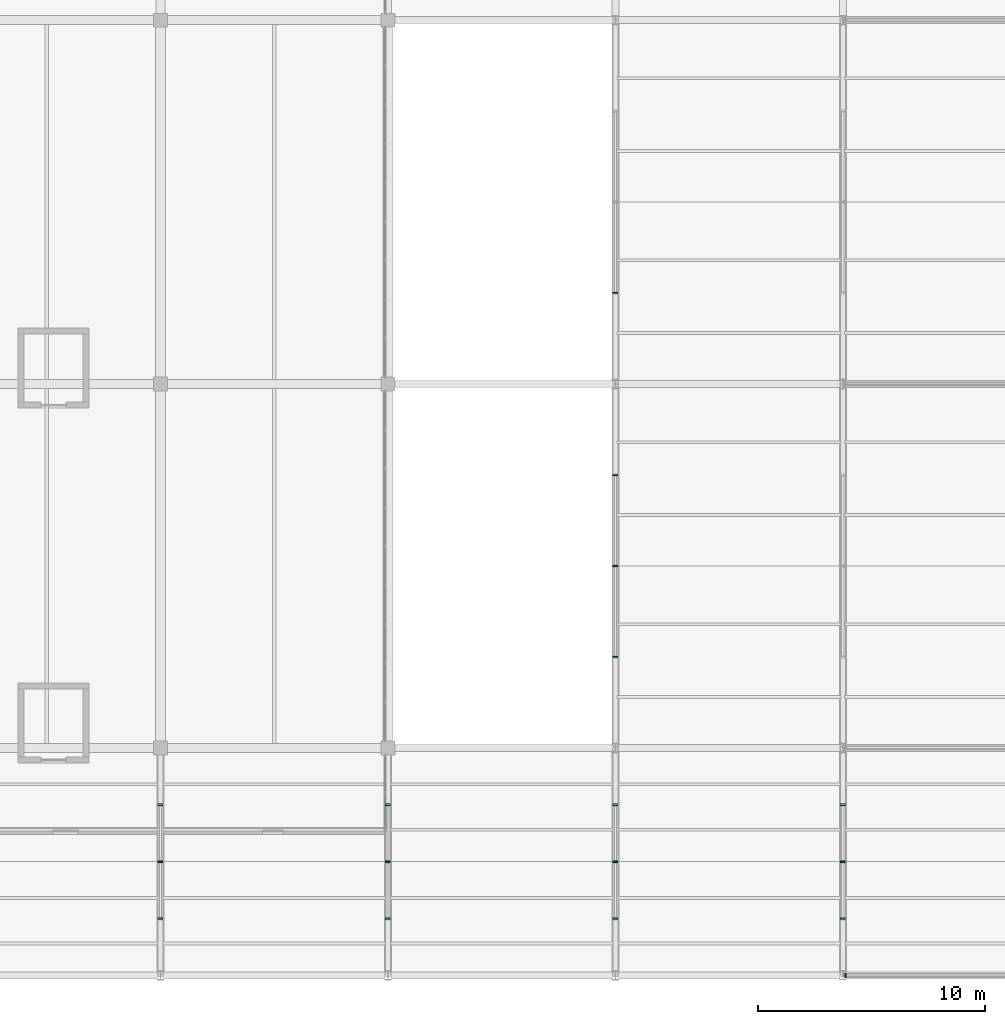
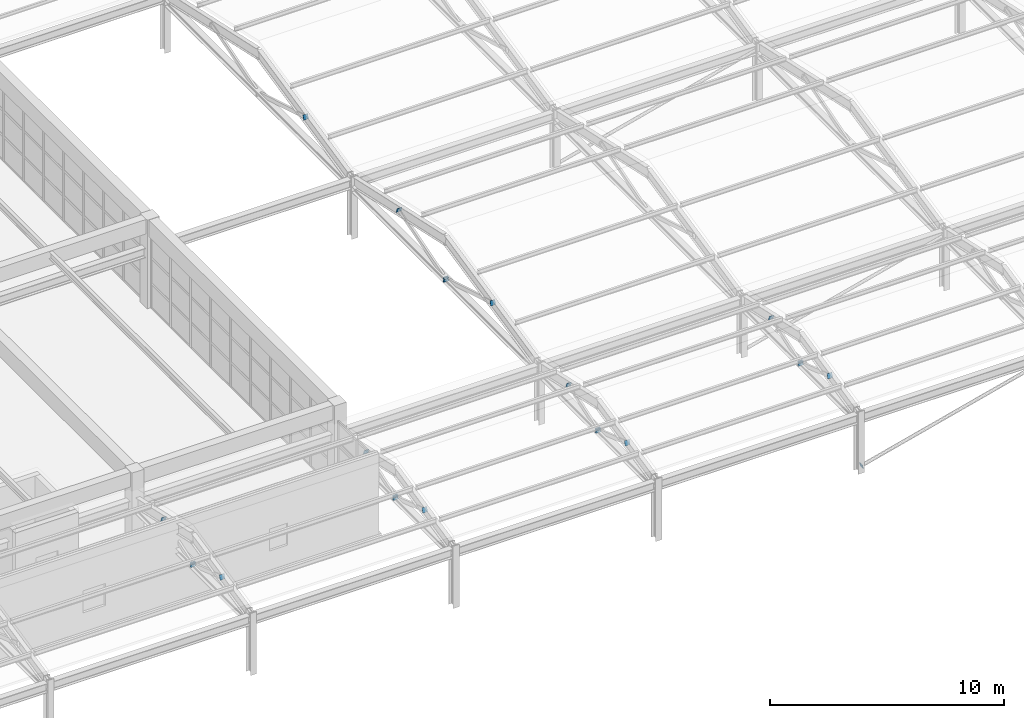
# One storey, part 82 of 109: 22 plates.
"""IFC4 building model written with IfcOpenShell, lengths in metres."""

from ifc_helpers import new_model, si_unit, direction, frame, origin, origin_2d, place, context, subcontext, project, spatial, rectangle, extrude, material, layer, layer_set, type_object, element, save


model = new_model("IFC4")

# Units and contexts
model_context = context("Model", 3, precision=1e-05, world=origin(), true_north=direction((0.0, 1.0)))
body_context = subcontext(model_context, "Body", "Model", "MODEL_VIEW")
ifc_project = project(units=[si_unit("LENGTHUNIT", "METRE"), si_unit("AREAUNIT", "SQUARE_METRE"), si_unit("VOLUMEUNIT", "CUBIC_METRE"), si_unit("PLANEANGLEUNIT", "RADIAN"), si_unit("MASSUNIT", "GRAM", prefix="KILO")], contexts=[model_context])

# Site, building, storey
site_placement = place(None, origin())
site = spatial("IfcSite", under=ifc_project, at=site_placement, CompositionType="ELEMENT")
building_placement = place(site_placement, origin())
building = spatial("IfcBuilding", under=site, at=building_placement, Name="Kivolera Central Railway Station", CompositionType="ELEMENT")
storey_placement = place(building_placement, frame((0.0, 0.0, 9.60009765625)))
storey = spatial("IfcBuildingStorey", under=building, at=storey_placement, Name="L02", CompositionType="ELEMENT", Elevation=9.60009765625)

# Plates
ifc_material = material(Name="Steel S355", Category="steel")
ifc_layer_1 = layer(ifc_material, 0.02001953125, Name="Steel S355")
ifc_layer_set_1 = layer_set([ifc_layer_1], Name="Steel S355")
plate_type_1 = type_object("IfcPlateType", Name="PLT-CAP-210", PredefinedType="SHEET", material=ifc_layer_set_1)
plate_placement = place(storey_placement, frame((108.123046875, 6.0, 0.2490234375), z_axis=(0.968639336195, 0.0, 0.24847099705), x_axis=(0.0, 1.0, 0.0)))
element("IfcPlate", 1, at=plate_placement, inside=storey, type_object=plate_type_1, Name="Hollow section end-cap plate NP-CAP3", PredefinedType="SHEET", context=body_context, shape_type="SweptSolid", body=[
    extrude(rectangle(XDim=0.2099609375, YDim=0.2099609375, at=origin_2d()), frame((0.0, 0.0, -0.010009765625)), (0.0, 0.0, 1.0), 0.02001953125),
])
ifc_layer_2 = layer(ifc_material, 0.02197265625, Name="Steel S355")
ifc_layer_set_2 = layer_set([ifc_layer_2], Name="Steel S355")
plate_type_2 = type_object("IfcPlateType", Name="PLT-CAP-260", PredefinedType="SHEET", material=ifc_layer_set_2)
for number, where, z_axis, x_axis, name in (
    (2, (78.0, 11.00390625, 2.618896484375), (0.0, -0.946194484088, 0.32359851403), (1.0, 0.0, 0.0), "Hollow section end-cap plate NP-CAP2"),
    (3, (78.0, 8.49609375, 3.475830078125), (0.0, -0.946194484088, 0.32359851403), (1.0, 0.0, 0.0), "Hollow section end-cap plate NP-CAP2"),
    (4, (78.0, 10.99609375, 2.618896484375), (0.0, 0.946194484088, 0.32359851403), (-1.0, 0.0, 0.0), "Hollow section end-cap plate NP-CAP2"),
    (5, (78.0, 13.50390625, 3.475830078125), (0.0, 0.946194484088, 0.32359851403), (-1.0, 0.0, 0.0), "Hollow section end-cap plate NP-CAP2"),
    (6, (88.0, 11.00390625, 2.618896484375), (0.0, -0.946194484088, 0.32359851403), (1.0, 0.0, 0.0), "Hollow section end-cap plate NP-CAP2"),
    (7, (88.0, 8.49609375, 3.475830078125), (0.0, -0.946194484088, 0.32359851403), (1.0, 0.0, 0.0), "Hollow section end-cap plate NP-CAP2"),
    (8, (88.0, 10.99609375, 2.618896484375), (0.0, 0.946194484088, 0.32359851403), (-1.0, 0.0, 0.0), "Hollow section end-cap plate NP-CAP2"),
    (9, (88.0, 13.50390625, 3.475830078125), (0.0, 0.946194484088, 0.32359851403), (-1.0, 0.0, 0.0), "Hollow section end-cap plate NP-CAP2"),
    (10, (98.0, 11.00390625, 2.618896484375), (0.0, -0.946194484088, 0.32359851403), (1.0, 0.0, 0.0), "Hollow section end-cap plate NP-CAP2"),
    (11, (98.0, 8.49609375, 3.475830078125), (0.0, -0.946194484088, 0.32359851403), (1.0, 0.0, 0.0), "Hollow section end-cap plate NP-CAP2"),
    (12, (98.0, 10.99609375, 2.618896484375), (0.0, 0.946194484088, 0.32359851403), (-1.0, 0.0, 0.0), "Hollow section end-cap plate NP-CAP2"),
    (13, (98.0, 13.50390625, 3.475830078125), (0.0, 0.946194484088, 0.32359851403), (-1.0, 0.0, 0.0), "Hollow section end-cap plate NP-CAP2"),
    (14, (98.0, 24.00390625, 2.618896484375), (0.0, -0.958810202665, 0.284047522901), (1.0, 0.0, 0.0), "Hollow section end-cap plate NP-CAP2"),
    (15, (98.0, 19.99609375, 3.805908203125), (0.0, -0.958810202665, 0.284047522901), (1.0, 0.0, 0.0), "Hollow section end-cap plate NP-CAP2"),
    (16, (98.0, 23.99609375, 2.618896484375), (0.0, 0.958810202665, 0.284047522901), (-1.0, 0.0, 0.0), "Hollow section end-cap plate NP-CAP2"),
    (17, (98.0, 28.00390625, 3.805908203125), (0.0, 0.958810202665, 0.284047522901), (-1.0, 0.0, 0.0), "Hollow section end-cap plate NP-CAP2"),
    (18, (98.0, 35.99609375, 3.805908203125), (0.0, -0.958810202665, 0.284047522901), (1.0, 0.0, 0.0), "Hollow section end-cap plate NP-CAP2"),
    (19, (108.0, 11.00390625, 2.618896484375), (0.0, -0.946194484088, 0.32359851403), (1.0, 0.0, 0.0), "Hollow section end-cap plate NP-CAP2"),
    (20, (108.0, 8.49609375, 3.475830078125), (0.0, -0.946194484088, 0.32359851403), (1.0, 0.0, 0.0), "Hollow section end-cap plate NP-CAP2"),
    (21, (108.0, 10.99609375, 2.618896484375), (0.0, 0.946194484088, 0.32359851403), (-1.0, 0.0, 0.0), "Hollow section end-cap plate NP-CAP2"),
    (22, (108.0, 13.50390625, 3.475830078125), (0.0, 0.946194484088, 0.32359851403), (-1.0, 0.0, 0.0), "Hollow section end-cap plate NP-CAP2"),
):
    element("IfcPlate", number, at=place(storey_placement, frame(where, z_axis=z_axis, x_axis=x_axis)), inside=storey, type_object=plate_type_2, Name=name, PredefinedType="SHEET", context=body_context, shape_type="SweptSolid", body=[
        extrude(rectangle(XDim=0.239990234375, YDim=0.239990234375, at=origin_2d()), frame((0.0, 0.0, -0.010986328125)), (0.0, 0.0, 1.0), 0.02197265625),
    ])

save(model, "model.ifc")
